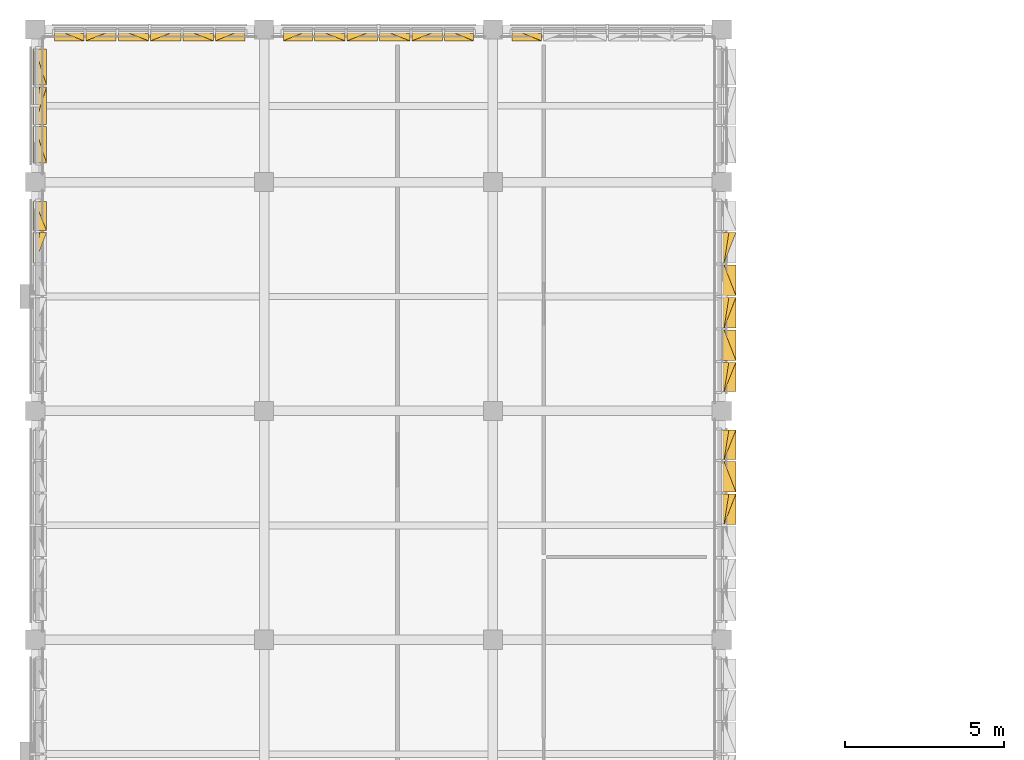
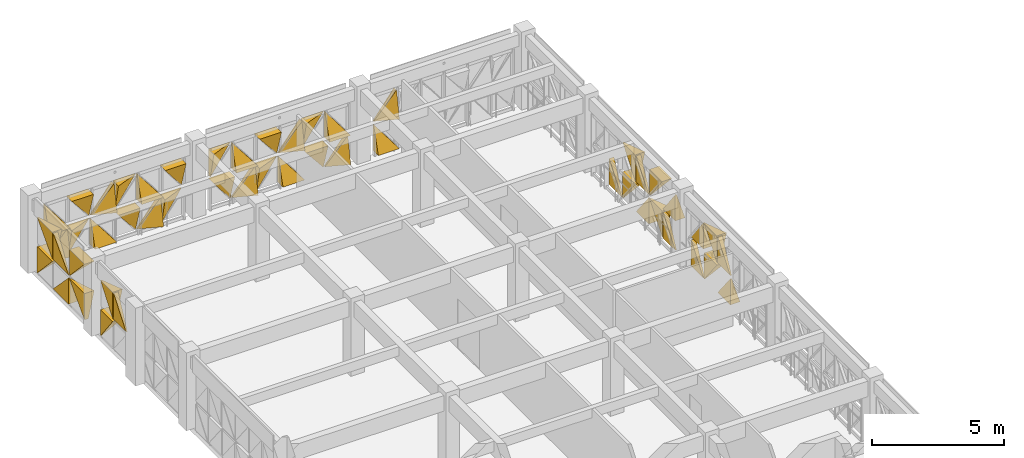
# One storey, part 73 of 74: 50 coverings.
"""IFC4 building model written with IfcOpenShell, lengths in metres."""

from ifc_helpers import new_model, si_unit, direction, frame, origin, place, context, subcontext, project, spatial, polygons, material, layer, layer_set, type_object, element, save


model = new_model("IFC4")

# Units and contexts
model_context = context("Model", 3, precision=1e-05, world=origin(), true_north=direction((0.0, 1.0)))
body_context = subcontext(model_context, "Body", "Model", "MODEL_VIEW")
ifc_project = project(units=[si_unit("LENGTHUNIT", "METRE"), si_unit("AREAUNIT", "SQUARE_METRE"), si_unit("VOLUMEUNIT", "CUBIC_METRE"), si_unit("PLANEANGLEUNIT", "RADIAN"), si_unit("MASSUNIT", "GRAM", prefix="KILO")], contexts=[model_context])

# Site, building, storey
site_placement = place(None, origin())
site = spatial("IfcSite", under=ifc_project, at=site_placement, CompositionType="ELEMENT")
building_placement = place(site_placement, origin())
building = spatial("IfcBuilding", under=site, at=building_placement, Name="Alvorim Cloister Faculty of Sciences", CompositionType="ELEMENT")
storey_placement = place(building_placement, frame((0.0, 0.0, 15.75)))
storey = spatial("IfcBuildingStorey", under=building, at=storey_placement, Name="L04", CompositionType="ELEMENT", Elevation=15.75)

# Coverings
ifc_material = material(Name="Perforated Bronze Alloy Sheet", Category="metal")
ifc_layer = layer(ifc_material, 0.0380859375)
ifc_layer_set = layer_set([ifc_layer], Name="Perforated Bronze Alloy Sheet")
covering_type = type_object("IfcCoveringType", Name="COV-TRI-BRZ", PredefinedType="CLADDING", material=ifc_layer_set)
covering_1_placement = place(storey_placement, frame((-0.044921875, 104.25244140625, 1.4951171875), z_axis=(0.0, 0.0, 1.0), x_axis=(0.0, 1.0, 0.0)))
element("IfcCovering", 1, at=covering_1_placement, inside=storey, type_object=covering_type, Name="Diagonal Solid Metal Triangle TRI-BR", PredefinedType="CLADDING", context=body_context, shape_type="Tessellation", body=[
    polygons([(0.002, 0.0260009765625, 0.0), (0.955078125, 0.0260009765625, 0.0), (0.955078125, 0.0260009765625, 1.21284375), (0.002, -0.03, 0.0), (0.955078125, -0.4, 0.0), (0.955078125, -0.18000000000000002, 1.21284375)], [[[1, 3, 2]], [[4, 5, 6]], [[1, 2, 5, 4]], [[2, 3, 6, 5]], [[3, 1, 4, 6]]], closed=True),
])
covering_2_placement = place(storey_placement, frame((-0.044921875, 105.2724609375, 0.139892578125), z_axis=(0.0, 0.0, 1.0), x_axis=(0.0, 1.0, 0.0)))
element("IfcCovering", 2, at=covering_2_placement, inside=storey, type_object=covering_type, Name="Diagonal Solid Metal Triangle TRI-TR", PredefinedType="CLADDING", context=body_context, shape_type="Tessellation", body=[
    polygons([(0.922607421875, 0.0260009765625, 0.002), (0.922607421875, 0.0260009765625, 1.215087890625), (0.002, 0.0260009765625, 1.215087890625), (0.922607421875, -0.03, 0.002), (0.922607421875, -0.4, 1.215087890625), (0.002, -0.4, 1.215087890625)], [[[1, 3, 2]], [[4, 5, 6]], [[1, 2, 5, 4]], [[2, 3, 6, 5]], [[3, 1, 4, 6]]], closed=True),
])
covering_3_placement = place(storey_placement, frame((-0.044921875, 105.2724609375, 1.4951171875), z_axis=(0.0, 0.0, 1.0), x_axis=(0.0, 1.0, 0.0)))
element("IfcCovering", 3, at=covering_3_placement, inside=storey, type_object=covering_type, Name="Diagonal Solid Metal Triangle TRI-TL", PredefinedType="CLADDING", context=body_context, shape_type="Tessellation", body=[
    polygons([(0.920607421875, 0.0260009765625, 1.21484375), (0.0, 0.0260009765625, 1.21484375), (0.0, 0.0260009765625, 0.002), (0.920607421875, -0.03, 1.21484375), (0.0, -0.4, 1.21484375), (0.0, -0.13999999999999999, 0.002)], [[[1, 3, 2]], [[4, 5, 6]], [[1, 2, 5, 4]], [[2, 3, 6, 5]], [[3, 1, 4, 6]]], closed=True),
])
covering_4_placement = place(storey_placement, frame((-0.044921875, 107.405029296875, 0.139892578125), z_axis=(0.0, 0.0, 1.0), x_axis=(0.0, 1.0, 0.0)))
element("IfcCovering", 4, at=covering_4_placement, inside=storey, type_object=covering_type, Name="Diagonal Solid Metal Triangle TRI-TL", PredefinedType="CLADDING", context=body_context, shape_type="Tessellation", body=[
    polygons([(1.140578125, 0.0260009765625, 1.215087890625), (0.0, 0.0260009765625, 1.215087890625), (0.0, 0.0260009765625, 0.002), (1.140578125, -0.03, 1.215087890625), (0.0, -0.4, 1.215087890625), (0.0, -0.13999999999999999, 0.002)], [[[1, 3, 2]], [[4, 5, 6]], [[1, 2, 5, 4]], [[2, 3, 6, 5]], [[3, 1, 4, 6]]], closed=True),
])
covering_5_placement = place(storey_placement, frame((-0.044921875, 107.405029296875, 1.4951171875), z_axis=(0.0, 0.0, 1.0), x_axis=(0.0, 1.0, 0.0)))
element("IfcCovering", 5, at=covering_5_placement, inside=storey, type_object=covering_type, Name="Diagonal Solid Metal Triangle TRI-TR", PredefinedType="CLADDING", context=body_context, shape_type="Tessellation", body=[
    polygons([(1.142578125, 0.0260009765625, 0.002), (1.142578125, 0.0260009765625, 1.21484375), (0.002, 0.0260009765625, 1.21484375), (1.142578125, -0.03, 0.002), (1.142578125, -0.4, 1.21484375), (0.002, -0.4, 1.21484375)], [[[1, 3, 2]], [[4, 5, 6]], [[1, 2, 5, 4]], [[2, 3, 6, 5]], [[3, 1, 4, 6]]], closed=True),
])
covering_6_placement = place(storey_placement, frame((-0.044921875, 108.612548828125, 0.139892578125), z_axis=(0.0, 0.0, 1.0), x_axis=(0.0, 1.0, 0.0)))
element("IfcCovering", 6, at=covering_6_placement, inside=storey, type_object=covering_type, Name="Diagonal Solid Metal Triangle TRI-BL", PredefinedType="CLADDING", context=body_context, shape_type="Tessellation", body=[
    polygons([(0.0, 0.0260009765625, 0.0), (1.173048828125, 0.0260009765625, 0.0), (0.0, 0.0260009765625, 1.213087890625), (0.0, -0.4, 0.0), (1.173048828125, -0.4, 0.0), (0.0, -0.03, 1.213087890625)], [[[1, 3, 2]], [[4, 5, 6]], [[1, 2, 5, 4]], [[2, 3, 6, 5]], [[3, 1, 4, 6]]], closed=True),
])
covering_7_placement = place(storey_placement, frame((-0.044921875, 108.612548828125, 1.4951171875), z_axis=(0.0, 0.0, 1.0), x_axis=(0.0, 1.0, 0.0)))
element("IfcCovering", 7, at=covering_7_placement, inside=storey, type_object=covering_type, Name="Diagonal Solid Metal Triangle TRI-BR", PredefinedType="CLADDING", context=body_context, shape_type="Tessellation", body=[
    polygons([(0.002, 0.0260009765625, 0.0), (1.175048828125, 0.0260009765625, 0.0), (1.175048828125, 0.0260009765625, 1.21284375), (0.002, -0.03, 0.0), (1.175048828125, -0.4, 0.0), (1.175048828125, -0.18000000000000002, 1.21284375)], [[[1, 3, 2]], [[4, 5, 6]], [[1, 2, 5, 4]], [[2, 3, 6, 5]], [[3, 1, 4, 6]]], closed=True),
])
covering_8_placement = place(storey_placement, frame((-0.044921875, 109.8525390625, 0.139892578125), z_axis=(0.0, 0.0, 1.0), x_axis=(0.0, 1.0, 0.0)))
element("IfcCovering", 8, at=covering_8_placement, inside=storey, type_object=covering_type, Name="Diagonal Solid Metal Triangle TRI-TR", PredefinedType="CLADDING", context=body_context, shape_type="Tessellation", body=[
    polygons([(1.142578125, 0.0260009765625, 0.002), (1.142578125, 0.0260009765625, 1.215087890625), (0.002, 0.0260009765625, 1.215087890625), (1.142578125, -0.03, 0.002), (1.142578125, -0.4, 1.215087890625), (0.002, -0.4, 1.215087890625)], [[[1, 3, 2]], [[4, 5, 6]], [[1, 2, 5, 4]], [[2, 3, 6, 5]], [[3, 1, 4, 6]]], closed=True),
])
covering_9_placement = place(storey_placement, frame((-0.044921875, 109.8525390625, 1.4951171875), z_axis=(0.0, 0.0, 1.0), x_axis=(0.0, 1.0, 0.0)))
element("IfcCovering", 9, at=covering_9_placement, inside=storey, type_object=covering_type, Name="Diagonal Solid Metal Triangle TRI-TL", PredefinedType="CLADDING", context=body_context, shape_type="Tessellation", body=[
    polygons([(1.140578125, 0.0260009765625, 1.21484375), (0.0, 0.0260009765625, 1.21484375), (0.0, 0.0260009765625, 0.002), (1.140578125, -0.03, 1.21484375), (0.0, -0.4, 1.21484375), (0.0, -0.13999999999999999, 0.002)], [[[1, 3, 2]], [[4, 5, 6]], [[1, 2, 5, 4]], [[2, 3, 6, 5]], [[3, 1, 4, 6]]], closed=True),
])
covering_10_placement = place(storey_placement, frame((0.60498046875, 111.64501953125, 0.139892578125), z_axis=(0.0, 0.0, 1.0), x_axis=(1.0, 0.0, 0.0)))
element("IfcCovering", 10, at=covering_10_placement, inside=storey, type_object=covering_type, Name="Diagonal Solid Metal Triangle TRI-BR", PredefinedType="CLADDING", context=body_context, shape_type="Tessellation", body=[
    polygons([(0.002, 0.0260009765625, 0.0), (0.922607421875, 0.0260009765625, 0.0), (0.922607421875, 0.0260009765625, 1.213087890625), (0.002, -0.03, 0.0), (0.922607421875, -0.4, 0.0), (0.922607421875, -0.18000000000000002, 1.213087890625)], [[[1, 3, 2]], [[4, 5, 6]], [[1, 2, 5, 4]], [[2, 3, 6, 5]], [[3, 1, 4, 6]]], closed=True),
])
covering_11_placement = place(storey_placement, frame((0.60498046875, 111.64501953125, 1.4951171875), z_axis=(0.0, 0.0, 1.0), x_axis=(1.0, 0.0, 0.0)))
element("IfcCovering", 11, at=covering_11_placement, inside=storey, type_object=covering_type, Name="Diagonal Solid Metal Triangle TRI-BL", PredefinedType="CLADDING", context=body_context, shape_type="Tessellation", body=[
    polygons([(0.0, 0.0260009765625, 0.0), (0.920607421875, 0.0260009765625, 0.0), (0.0, 0.0260009765625, 1.21284375), (0.0, -0.4, 0.0), (0.920607421875, -0.4, 0.0), (0.0, -0.03, 1.21284375)], [[[1, 3, 2]], [[4, 5, 6]], [[1, 2, 5, 4]], [[2, 3, 6, 5]], [[3, 1, 4, 6]]], closed=True),
])
covering_12_placement = place(storey_placement, frame((1.592529296875, 111.64501953125, 0.139892578125), z_axis=(0.0, 0.0, 1.0), x_axis=(1.0, 0.0, 0.0)))
element("IfcCovering", 12, at=covering_12_placement, inside=storey, type_object=covering_type, Name="Diagonal Solid Metal Triangle TRI-TL", PredefinedType="CLADDING", context=body_context, shape_type="Tessellation", body=[
    polygons([(0.953078125, 0.0260009765625, 1.215087890625), (0.0, 0.0260009765625, 1.215087890625), (0.0, 0.0260009765625, 0.002), (0.953078125, -0.03, 1.215087890625), (0.0, -0.4, 1.215087890625), (0.0, -0.13999999999999999, 0.002)], [[[1, 3, 2]], [[4, 5, 6]], [[1, 2, 5, 4]], [[2, 3, 6, 5]], [[3, 1, 4, 6]]], closed=True),
])
covering_13_placement = place(storey_placement, frame((1.592529296875, 111.64501953125, 1.4951171875), z_axis=(0.0, 0.0, 1.0), x_axis=(1.0, 0.0, 0.0)))
element("IfcCovering", 13, at=covering_13_placement, inside=storey, type_object=covering_type, Name="Diagonal Solid Metal Triangle TRI-TR", PredefinedType="CLADDING", context=body_context, shape_type="Tessellation", body=[
    polygons([(0.955078125, 0.0260009765625, 0.002), (0.955078125, 0.0260009765625, 1.21484375), (0.002, 0.0260009765625, 1.21484375), (0.955078125, -0.03, 0.002), (0.955078125, -0.4, 1.21484375), (0.002, -0.4, 1.21484375)], [[[1, 3, 2]], [[4, 5, 6]], [[1, 2, 5, 4]], [[2, 3, 6, 5]], [[3, 1, 4, 6]]], closed=True),
])
covering_14_placement = place(storey_placement, frame((2.612548828125, 111.64501953125, 0.139892578125), z_axis=(0.0, 0.0, 1.0), x_axis=(1.0, 0.0, 0.0)))
element("IfcCovering", 14, at=covering_14_placement, inside=storey, type_object=covering_type, Name="Diagonal Solid Metal Triangle TRI-BL", PredefinedType="CLADDING", context=body_context, shape_type="Tessellation", body=[
    polygons([(0.0, 0.0260009765625, 0.0), (0.953078125, 0.0260009765625, 0.0), (0.0, 0.0260009765625, 1.213087890625), (0.0, -0.4, 0.0), (0.953078125, -0.4, 0.0), (0.0, -0.03, 1.213087890625)], [[[1, 3, 2]], [[4, 5, 6]], [[1, 2, 5, 4]], [[2, 3, 6, 5]], [[3, 1, 4, 6]]], closed=True),
])
covering_15_placement = place(storey_placement, frame((2.612548828125, 111.64501953125, 1.4951171875), z_axis=(0.0, 0.0, 1.0), x_axis=(1.0, 0.0, 0.0)))
element("IfcCovering", 15, at=covering_15_placement, inside=storey, type_object=covering_type, Name="Diagonal Solid Metal Triangle TRI-BR", PredefinedType="CLADDING", context=body_context, shape_type="Tessellation", body=[
    polygons([(0.002, 0.0260009765625, 0.0), (0.955078125, 0.0260009765625, 0.0), (0.955078125, 0.0260009765625, 1.21284375), (0.002, -0.03, 0.0), (0.955078125, -0.4, 0.0), (0.955078125, -0.18000000000000002, 1.21284375)], [[[1, 3, 2]], [[4, 5, 6]], [[1, 2, 5, 4]], [[2, 3, 6, 5]], [[3, 1, 4, 6]]], closed=True),
])
covering_16_placement = place(storey_placement, frame((3.632568359375, 111.64501953125, 0.139892578125), z_axis=(0.0, 0.0, 1.0), x_axis=(1.0, 0.0, 0.0)))
element("IfcCovering", 16, at=covering_16_placement, inside=storey, type_object=covering_type, Name="Diagonal Solid Metal Triangle TRI-TR", PredefinedType="CLADDING", context=body_context, shape_type="Tessellation", body=[
    polygons([(0.955078125, 0.0260009765625, 0.002), (0.955078125, 0.0260009765625, 1.215087890625), (0.002, 0.0260009765625, 1.215087890625), (0.955078125, -0.03, 0.002), (0.955078125, -0.4, 1.215087890625), (0.002, -0.4, 1.215087890625)], [[[1, 3, 2]], [[4, 5, 6]], [[1, 2, 5, 4]], [[2, 3, 6, 5]], [[3, 1, 4, 6]]], closed=True),
])
covering_17_placement = place(storey_placement, frame((3.632568359375, 111.64501953125, 1.4951171875), z_axis=(0.0, 0.0, 1.0), x_axis=(1.0, 0.0, 0.0)))
element("IfcCovering", 17, at=covering_17_placement, inside=storey, type_object=covering_type, Name="Diagonal Solid Metal Triangle TRI-TL", PredefinedType="CLADDING", context=body_context, shape_type="Tessellation", body=[
    polygons([(0.953078125, 0.0260009765625, 1.21484375), (0.0, 0.0260009765625, 1.21484375), (0.0, 0.0260009765625, 0.002), (0.953078125, -0.03, 1.21484375), (0.0, -0.4, 1.21484375), (0.0, -0.13999999999999999, 0.002)], [[[1, 3, 2]], [[4, 5, 6]], [[1, 2, 5, 4]], [[2, 3, 6, 5]], [[3, 1, 4, 6]]], closed=True),
])
covering_18_placement = place(storey_placement, frame((4.652587890625, 111.64501953125, 0.139892578125), z_axis=(0.0, 0.0, 1.0), x_axis=(1.0, 0.0, 0.0)))
element("IfcCovering", 18, at=covering_18_placement, inside=storey, type_object=covering_type, Name="Diagonal Solid Metal Triangle TRI-BR", PredefinedType="CLADDING", context=body_context, shape_type="Tessellation", body=[
    polygons([(0.002, 0.0260009765625, 0.0), (0.955078125, 0.0260009765625, 0.0), (0.955078125, 0.0260009765625, 1.213087890625), (0.002, -0.03, 0.0), (0.955078125, -0.4, 0.0), (0.955078125, -0.18000000000000002, 1.213087890625)], [[[1, 3, 2]], [[4, 5, 6]], [[1, 2, 5, 4]], [[2, 3, 6, 5]], [[3, 1, 4, 6]]], closed=True),
])
covering_19_placement = place(storey_placement, frame((4.652587890625, 111.64501953125, 1.4951171875), z_axis=(0.0, 0.0, 1.0), x_axis=(1.0, 0.0, 0.0)))
element("IfcCovering", 19, at=covering_19_placement, inside=storey, type_object=covering_type, Name="Diagonal Solid Metal Triangle TRI-BL", PredefinedType="CLADDING", context=body_context, shape_type="Tessellation", body=[
    polygons([(0.0, 0.0260009765625, 0.0), (0.953078125, 0.0260009765625, 0.0), (0.0, 0.0260009765625, 1.21284375), (0.0, -0.4, 0.0), (0.953078125, -0.4, 0.0), (0.0, -0.03, 1.21284375)], [[[1, 3, 2]], [[4, 5, 6]], [[1, 2, 5, 4]], [[2, 3, 6, 5]], [[3, 1, 4, 6]]], closed=True),
])
covering_20_placement = place(storey_placement, frame((5.672607421875, 111.64501953125, 0.139892578125), z_axis=(0.0, 0.0, 1.0), x_axis=(1.0, 0.0, 0.0)))
element("IfcCovering", 20, at=covering_20_placement, inside=storey, type_object=covering_type, Name="Diagonal Solid Metal Triangle TRI-TL", PredefinedType="CLADDING", context=body_context, shape_type="Tessellation", body=[
    polygons([(0.920607421875, 0.0260009765625, 1.215087890625), (0.0, 0.0260009765625, 1.215087890625), (0.0, 0.0260009765625, 0.002), (0.920607421875, -0.03, 1.215087890625), (0.0, -0.4, 1.215087890625), (0.0, -0.13999999999999999, 0.002)], [[[1, 3, 2]], [[4, 5, 6]], [[1, 2, 5, 4]], [[2, 3, 6, 5]], [[3, 1, 4, 6]]], closed=True),
])
covering_21_placement = place(storey_placement, frame((5.672607421875, 111.64501953125, 1.4951171875), z_axis=(0.0, 0.0, 1.0), x_axis=(1.0, 0.0, 0.0)))
element("IfcCovering", 21, at=covering_21_placement, inside=storey, type_object=covering_type, Name="Diagonal Solid Metal Triangle TRI-TR", PredefinedType="CLADDING", context=body_context, shape_type="Tessellation", body=[
    polygons([(0.922607421875, 0.0260009765625, 0.002), (0.922607421875, 0.0260009765625, 1.21484375), (0.002, 0.0260009765625, 1.21484375), (0.922607421875, -0.03, 0.002), (0.922607421875, -0.4, 1.21484375), (0.002, -0.4, 1.21484375)], [[[1, 3, 2]], [[4, 5, 6]], [[1, 2, 5, 4]], [[2, 3, 6, 5]], [[3, 1, 4, 6]]], closed=True),
])
covering_22_placement = place(storey_placement, frame((7.804931640625, 111.64501953125, 0.139892578125), z_axis=(0.0, 0.0, 1.0), x_axis=(1.0, 0.0, 0.0)))
element("IfcCovering", 22, at=covering_22_placement, inside=storey, type_object=covering_type, Name="Diagonal Solid Metal Triangle TRI-TR", PredefinedType="CLADDING", context=body_context, shape_type="Tessellation", body=[
    polygons([(0.922607421875, 0.0260009765625, 0.002), (0.922607421875, 0.0260009765625, 1.215087890625), (0.002, 0.0260009765625, 1.215087890625), (0.922607421875, -0.03, 0.002), (0.922607421875, -0.4, 1.215087890625), (0.002, -0.4, 1.215087890625)], [[[1, 3, 2]], [[4, 5, 6]], [[1, 2, 5, 4]], [[2, 3, 6, 5]], [[3, 1, 4, 6]]], closed=True),
])
covering_23_placement = place(storey_placement, frame((7.804931640625, 111.64501953125, 1.4951171875), z_axis=(0.0, 0.0, 1.0), x_axis=(1.0, 0.0, 0.0)))
element("IfcCovering", 23, at=covering_23_placement, inside=storey, type_object=covering_type, Name="Diagonal Solid Metal Triangle TRI-TL", PredefinedType="CLADDING", context=body_context, shape_type="Tessellation", body=[
    polygons([(0.920607421875, 0.0260009765625, 1.21484375), (0.0, 0.0260009765625, 1.21484375), (0.0, 0.0260009765625, 0.002), (0.920607421875, -0.03, 1.21484375), (0.0, -0.4, 1.21484375), (0.0, -0.13999999999999999, 0.002)], [[[1, 3, 2]], [[4, 5, 6]], [[1, 2, 5, 4]], [[2, 3, 6, 5]], [[3, 1, 4, 6]]], closed=True),
])
covering_24_placement = place(storey_placement, frame((8.79248046875, 111.64501953125, 0.139892578125), z_axis=(0.0, 0.0, 1.0), x_axis=(1.0, 0.0, 0.0)))
element("IfcCovering", 24, at=covering_24_placement, inside=storey, type_object=covering_type, Name="Diagonal Solid Metal Triangle TRI-BR", PredefinedType="CLADDING", context=body_context, shape_type="Tessellation", body=[
    polygons([(0.002, 0.0260009765625, 0.0), (0.955078125, 0.0260009765625, 0.0), (0.955078125, 0.0260009765625, 1.213087890625), (0.002, -0.03, 0.0), (0.955078125, -0.4, 0.0), (0.955078125, -0.18000000000000002, 1.213087890625)], [[[1, 3, 2]], [[4, 5, 6]], [[1, 2, 5, 4]], [[2, 3, 6, 5]], [[3, 1, 4, 6]]], closed=True),
])
covering_25_placement = place(storey_placement, frame((8.79248046875, 111.64501953125, 1.4951171875), z_axis=(0.0, 0.0, 1.0), x_axis=(1.0, 0.0, 0.0)))
element("IfcCovering", 25, at=covering_25_placement, inside=storey, type_object=covering_type, Name="Diagonal Solid Metal Triangle TRI-BL", PredefinedType="CLADDING", context=body_context, shape_type="Tessellation", body=[
    polygons([(0.0, 0.0260009765625, 0.0), (0.953078125, 0.0260009765625, 0.0), (0.0, 0.0260009765625, 1.21284375), (0.0, -0.4, 0.0), (0.953078125, -0.4, 0.0), (0.0, -0.03, 1.21284375)], [[[1, 3, 2]], [[4, 5, 6]], [[1, 2, 5, 4]], [[2, 3, 6, 5]], [[3, 1, 4, 6]]], closed=True),
])
covering_26_placement = place(storey_placement, frame((9.8125, 111.64501953125, 0.139892578125), z_axis=(0.0, 0.0, 1.0), x_axis=(1.0, 0.0, 0.0)))
element("IfcCovering", 26, at=covering_26_placement, inside=storey, type_object=covering_type, Name="Diagonal Solid Metal Triangle TRI-TL", PredefinedType="CLADDING", context=body_context, shape_type="Tessellation", body=[
    polygons([(0.953078125, 0.0260009765625, 1.215087890625), (0.0, 0.0260009765625, 1.215087890625), (0.0, 0.0260009765625, 0.002), (0.953078125, -0.03, 1.215087890625), (0.0, -0.4, 1.215087890625), (0.0, -0.13999999999999999, 0.002)], [[[1, 3, 2]], [[4, 5, 6]], [[1, 2, 5, 4]], [[2, 3, 6, 5]], [[3, 1, 4, 6]]], closed=True),
])
covering_27_placement = place(storey_placement, frame((9.8125, 111.64501953125, 1.4951171875), z_axis=(0.0, 0.0, 1.0), x_axis=(1.0, 0.0, 0.0)))
element("IfcCovering", 27, at=covering_27_placement, inside=storey, type_object=covering_type, Name="Diagonal Solid Metal Triangle TRI-TR", PredefinedType="CLADDING", context=body_context, shape_type="Tessellation", body=[
    polygons([(0.955078125, 0.0260009765625, 0.002), (0.955078125, 0.0260009765625, 1.21484375), (0.002, 0.0260009765625, 1.21484375), (0.955078125, -0.03, 0.002), (0.955078125, -0.4, 1.21484375), (0.002, -0.4, 1.21484375)], [[[1, 3, 2]], [[4, 5, 6]], [[1, 2, 5, 4]], [[2, 3, 6, 5]], [[3, 1, 4, 6]]], closed=True),
])
covering_28_placement = place(storey_placement, frame((10.83251953125, 111.64501953125, 0.139892578125), z_axis=(0.0, 0.0, 1.0), x_axis=(1.0, 0.0, 0.0)))
element("IfcCovering", 28, at=covering_28_placement, inside=storey, type_object=covering_type, Name="Diagonal Solid Metal Triangle TRI-BL", PredefinedType="CLADDING", context=body_context, shape_type="Tessellation", body=[
    polygons([(0.0, 0.0260009765625, 0.0), (0.953078125, 0.0260009765625, 0.0), (0.0, 0.0260009765625, 1.213087890625), (0.0, -0.4, 0.0), (0.953078125, -0.4, 0.0), (0.0, -0.03, 1.213087890625)], [[[1, 3, 2]], [[4, 5, 6]], [[1, 2, 5, 4]], [[2, 3, 6, 5]], [[3, 1, 4, 6]]], closed=True),
])
covering_29_placement = place(storey_placement, frame((10.83251953125, 111.64501953125, 1.4951171875), z_axis=(0.0, 0.0, 1.0), x_axis=(1.0, 0.0, 0.0)))
element("IfcCovering", 29, at=covering_29_placement, inside=storey, type_object=covering_type, Name="Diagonal Solid Metal Triangle TRI-BR", PredefinedType="CLADDING", context=body_context, shape_type="Tessellation", body=[
    polygons([(0.002, 0.0260009765625, 0.0), (0.955078125, 0.0260009765625, 0.0), (0.955078125, 0.0260009765625, 1.21284375), (0.002, -0.03, 0.0), (0.955078125, -0.4, 0.0), (0.955078125, -0.18000000000000002, 1.21284375)], [[[1, 3, 2]], [[4, 5, 6]], [[1, 2, 5, 4]], [[2, 3, 6, 5]], [[3, 1, 4, 6]]], closed=True),
])
covering_30_placement = place(storey_placement, frame((11.8525390625, 111.64501953125, 0.139892578125), z_axis=(0.0, 0.0, 1.0), x_axis=(1.0, 0.0, 0.0)))
element("IfcCovering", 30, at=covering_30_placement, inside=storey, type_object=covering_type, Name="Diagonal Solid Metal Triangle TRI-TR", PredefinedType="CLADDING", context=body_context, shape_type="Tessellation", body=[
    polygons([(0.955078125, 0.0260009765625, 0.002), (0.955078125, 0.0260009765625, 1.215087890625), (0.002, 0.0260009765625, 1.215087890625), (0.955078125, -0.03, 0.002), (0.955078125, -0.4, 1.215087890625), (0.002, -0.4, 1.215087890625)], [[[1, 3, 2]], [[4, 5, 6]], [[1, 2, 5, 4]], [[2, 3, 6, 5]], [[3, 1, 4, 6]]], closed=True),
])
covering_31_placement = place(storey_placement, frame((11.8525390625, 111.64501953125, 1.4951171875), z_axis=(0.0, 0.0, 1.0), x_axis=(1.0, 0.0, 0.0)))
element("IfcCovering", 31, at=covering_31_placement, inside=storey, type_object=covering_type, Name="Diagonal Solid Metal Triangle TRI-TL", PredefinedType="CLADDING", context=body_context, shape_type="Tessellation", body=[
    polygons([(0.953078125, 0.0260009765625, 1.21484375), (0.0, 0.0260009765625, 1.21484375), (0.0, 0.0260009765625, 0.002), (0.953078125, -0.03, 1.21484375), (0.0, -0.4, 1.21484375), (0.0, -0.13999999999999999, 0.002)], [[[1, 3, 2]], [[4, 5, 6]], [[1, 2, 5, 4]], [[2, 3, 6, 5]], [[3, 1, 4, 6]]], closed=True),
])
covering_32_placement = place(storey_placement, frame((12.87255859375, 111.64501953125, 0.139892578125), z_axis=(0.0, 0.0, 1.0), x_axis=(1.0, 0.0, 0.0)))
element("IfcCovering", 32, at=covering_32_placement, inside=storey, type_object=covering_type, Name="Diagonal Solid Metal Triangle TRI-BR", PredefinedType="CLADDING", context=body_context, shape_type="Tessellation", body=[
    polygons([(0.002, 0.0260009765625, 0.0), (0.922607421875, 0.0260009765625, 0.0), (0.922607421875, 0.0260009765625, 1.213087890625), (0.002, -0.03, 0.0), (0.922607421875, -0.4, 0.0), (0.922607421875, -0.18000000000000002, 1.213087890625)], [[[1, 3, 2]], [[4, 5, 6]], [[1, 2, 5, 4]], [[2, 3, 6, 5]], [[3, 1, 4, 6]]], closed=True),
])
covering_33_placement = place(storey_placement, frame((12.87255859375, 111.64501953125, 1.4951171875), z_axis=(0.0, 0.0, 1.0), x_axis=(1.0, 0.0, 0.0)))
element("IfcCovering", 33, at=covering_33_placement, inside=storey, type_object=covering_type, Name="Diagonal Solid Metal Triangle TRI-BL", PredefinedType="CLADDING", context=body_context, shape_type="Tessellation", body=[
    polygons([(0.0, 0.0260009765625, 0.0), (0.920607421875, 0.0260009765625, 0.0), (0.0, 0.0260009765625, 1.21284375), (0.0, -0.4, 0.0), (0.920607421875, -0.4, 0.0), (0.0, -0.03, 1.21284375)], [[[1, 3, 2]], [[4, 5, 6]], [[1, 2, 5, 4]], [[2, 3, 6, 5]], [[3, 1, 4, 6]]], closed=True),
])
covering_34_placement = place(storey_placement, frame((15.0048828125, 111.64501953125, 0.139892578125), z_axis=(0.0, 0.0, 1.0), x_axis=(1.0, 0.0, 0.0)))
element("IfcCovering", 34, at=covering_34_placement, inside=storey, type_object=covering_type, Name="Diagonal Solid Metal Triangle TRI-BL", PredefinedType="CLADDING", context=body_context, shape_type="Tessellation", body=[
    polygons([(0.0, 0.0260009765625, 0.0), (0.920607421875, 0.0260009765625, 0.0), (0.0, 0.0260009765625, 1.213087890625), (0.0, -0.4, 0.0), (0.920607421875, -0.4, 0.0), (0.0, -0.03, 1.213087890625)], [[[1, 3, 2]], [[4, 5, 6]], [[1, 2, 5, 4]], [[2, 3, 6, 5]], [[3, 1, 4, 6]]], closed=True),
])
covering_35_placement = place(storey_placement, frame((15.0048828125, 111.64501953125, 1.4951171875), z_axis=(0.0, 0.0, 1.0), x_axis=(1.0, 0.0, 0.0)))
element("IfcCovering", 35, at=covering_35_placement, inside=storey, type_object=covering_type, Name="Diagonal Solid Metal Triangle TRI-BR", PredefinedType="CLADDING", context=body_context, shape_type="Tessellation", body=[
    polygons([(0.002, 0.0260009765625, 0.0), (0.922607421875, 0.0260009765625, 0.0), (0.922607421875, 0.0260009765625, 1.21284375), (0.002, -0.03, 0.0), (0.922607421875, -0.4, 0.0), (0.922607421875, -0.18000000000000002, 1.21284375)], [[[1, 3, 2]], [[4, 5, 6]], [[1, 2, 5, 4]], [[2, 3, 6, 5]], [[3, 1, 4, 6]]], closed=True),
])
covering_36_placement = place(storey_placement, frame((21.64501953125, 100.205078125, 0.139892578125), z_axis=(0.0, 0.0, 1.0), x_axis=(0.0, 1.0, 0.0)))
element("IfcCovering", 36, at=covering_36_placement, inside=storey, type_object=covering_type, Name="Diagonal Solid Metal Triangle TRI-BR", PredefinedType="CLADDING", context=body_context, shape_type="Tessellation", body=[
    polygons([(0.002, 0.0260009765625, 0.0), (0.922607421875, 0.0260009765625, 0.0), (0.922607421875, 0.0260009765625, 1.213087890625), (0.002, -0.03, 0.0), (0.922607421875, -0.4, 0.0), (0.922607421875, -0.18000000000000002, 1.213087890625)], [[[1, 3, 2]], [[4, 5, 6]], [[1, 2, 5, 4]], [[2, 3, 6, 5]], [[3, 1, 4, 6]]], closed=True),
])
covering_37_placement = place(storey_placement, frame((21.64501953125, 100.205078125, 1.4951171875), z_axis=(0.0, 0.0, 1.0), x_axis=(0.0, 1.0, 0.0)))
element("IfcCovering", 37, at=covering_37_placement, inside=storey, type_object=covering_type, Name="Diagonal Solid Metal Triangle TRI-BL", PredefinedType="CLADDING", context=body_context, shape_type="Tessellation", body=[
    polygons([(0.0, 0.0260009765625, 0.0), (0.920607421875, 0.0260009765625, 0.0), (0.0, 0.0260009765625, 1.21284375), (0.0, -0.4, 0.0), (0.920607421875, -0.4, 0.0), (0.0, -0.03, 1.21284375)], [[[1, 3, 2]], [[4, 5, 6]], [[1, 2, 5, 4]], [[2, 3, 6, 5]], [[3, 1, 4, 6]]], closed=True),
])
covering_38_placement = place(storey_placement, frame((21.64501953125, 101.1923828125, 0.139892578125), z_axis=(0.0, 0.0, 1.0), x_axis=(0.0, 1.0, 0.0)))
element("IfcCovering", 38, at=covering_38_placement, inside=storey, type_object=covering_type, Name="Diagonal Solid Metal Triangle TRI-TL", PredefinedType="CLADDING", context=body_context, shape_type="Tessellation", body=[
    polygons([(0.953078125, 0.0260009765625, 1.215087890625), (0.0, 0.0260009765625, 1.215087890625), (0.0, 0.0260009765625, 0.002), (0.953078125, -0.03, 1.215087890625), (0.0, -0.4, 1.215087890625), (0.0, -0.13999999999999999, 0.002)], [[[1, 3, 2]], [[4, 5, 6]], [[1, 2, 5, 4]], [[2, 3, 6, 5]], [[3, 1, 4, 6]]], closed=True),
])
covering_39_placement = place(storey_placement, frame((21.64501953125, 101.1923828125, 1.4951171875), z_axis=(0.0, 0.0, 1.0), x_axis=(0.0, 1.0, 0.0)))
element("IfcCovering", 39, at=covering_39_placement, inside=storey, type_object=covering_type, Name="Diagonal Solid Metal Triangle TRI-TR", PredefinedType="CLADDING", context=body_context, shape_type="Tessellation", body=[
    polygons([(0.955078125, 0.0260009765625, 0.002), (0.955078125, 0.0260009765625, 1.21484375), (0.002, 0.0260009765625, 1.21484375), (0.955078125, -0.03, 0.002), (0.955078125, -0.4, 1.21484375), (0.002, -0.4, 1.21484375)], [[[1, 3, 2]], [[4, 5, 6]], [[1, 2, 5, 4]], [[2, 3, 6, 5]], [[3, 1, 4, 6]]], closed=True),
])
covering_40_placement = place(storey_placement, frame((21.64501953125, 102.21240234375, 0.139892578125), z_axis=(0.0, 0.0, 1.0), x_axis=(0.0, 1.0, 0.0)))
element("IfcCovering", 40, at=covering_40_placement, inside=storey, type_object=covering_type, Name="Diagonal Solid Metal Triangle TRI-BL", PredefinedType="CLADDING", context=body_context, shape_type="Tessellation", body=[
    polygons([(0.0, 0.0260009765625, 0.0), (0.953078125, 0.0260009765625, 0.0), (0.0, 0.0260009765625, 1.213087890625), (0.0, -0.4, 0.0), (0.953078125, -0.4, 0.0), (0.0, -0.03, 1.213087890625)], [[[1, 3, 2]], [[4, 5, 6]], [[1, 2, 5, 4]], [[2, 3, 6, 5]], [[3, 1, 4, 6]]], closed=True),
])
covering_41_placement = place(storey_placement, frame((21.64501953125, 102.21240234375, 1.4951171875), z_axis=(0.0, 0.0, 1.0), x_axis=(0.0, 1.0, 0.0)))
element("IfcCovering", 41, at=covering_41_placement, inside=storey, type_object=covering_type, Name="Diagonal Solid Metal Triangle TRI-BR", PredefinedType="CLADDING", context=body_context, shape_type="Tessellation", body=[
    polygons([(0.002, 0.0260009765625, 0.0), (0.955078125, 0.0260009765625, 0.0), (0.955078125, 0.0260009765625, 1.21284375), (0.002, -0.03, 0.0), (0.955078125, -0.4, 0.0), (0.955078125, -0.18000000000000002, 1.21284375)], [[[1, 3, 2]], [[4, 5, 6]], [[1, 2, 5, 4]], [[2, 3, 6, 5]], [[3, 1, 4, 6]]], closed=True),
])
covering_42_placement = place(storey_placement, frame((21.64501953125, 103.232421875, 0.139892578125), z_axis=(0.0, 0.0, 1.0), x_axis=(0.0, 1.0, 0.0)))
element("IfcCovering", 42, at=covering_42_placement, inside=storey, type_object=covering_type, Name="Diagonal Solid Metal Triangle TRI-TR", PredefinedType="CLADDING", context=body_context, shape_type="Tessellation", body=[
    polygons([(0.955078125, 0.0260009765625, 0.002), (0.955078125, 0.0260009765625, 1.215087890625), (0.002, 0.0260009765625, 1.215087890625), (0.955078125, -0.03, 0.002), (0.955078125, -0.4, 1.215087890625), (0.002, -0.4, 1.215087890625)], [[[1, 3, 2]], [[4, 5, 6]], [[1, 2, 5, 4]], [[2, 3, 6, 5]], [[3, 1, 4, 6]]], closed=True),
])
covering_43_placement = place(storey_placement, frame((21.64501953125, 103.232421875, 1.4951171875), z_axis=(0.0, 0.0, 1.0), x_axis=(0.0, 1.0, 0.0)))
element("IfcCovering", 43, at=covering_43_placement, inside=storey, type_object=covering_type, Name="Diagonal Solid Metal Triangle TRI-TL", PredefinedType="CLADDING", context=body_context, shape_type="Tessellation", body=[
    polygons([(0.953078125, 0.0260009765625, 1.21484375), (0.0, 0.0260009765625, 1.21484375), (0.0, 0.0260009765625, 0.002), (0.953078125, -0.03, 1.21484375), (0.0, -0.4, 1.21484375), (0.0, -0.13999999999999999, 0.002)], [[[1, 3, 2]], [[4, 5, 6]], [[1, 2, 5, 4]], [[2, 3, 6, 5]], [[3, 1, 4, 6]]], closed=True),
])
covering_44_placement = place(storey_placement, frame((21.64501953125, 104.25244140625, 0.139892578125), z_axis=(0.0, 0.0, 1.0), x_axis=(0.0, 1.0, 0.0)))
element("IfcCovering", 44, at=covering_44_placement, inside=storey, type_object=covering_type, Name="Diagonal Solid Metal Triangle TRI-BR", PredefinedType="CLADDING", context=body_context, shape_type="Tessellation", body=[
    polygons([(0.002, 0.0260009765625, 0.0), (0.955078125, 0.0260009765625, 0.0), (0.955078125, 0.0260009765625, 1.213087890625), (0.002, -0.03, 0.0), (0.955078125, -0.4, 0.0), (0.955078125, -0.18000000000000002, 1.213087890625)], [[[1, 3, 2]], [[4, 5, 6]], [[1, 2, 5, 4]], [[2, 3, 6, 5]], [[3, 1, 4, 6]]], closed=True),
])
covering_45_placement = place(storey_placement, frame((21.64501953125, 96.032470703125, 0.139892578125), z_axis=(0.0, 0.0, 1.0), x_axis=(0.0, 1.0, 0.0)))
element("IfcCovering", 45, at=covering_45_placement, inside=storey, type_object=covering_type, Name="Diagonal Solid Metal Triangle TRI-BL", PredefinedType="CLADDING", context=body_context, shape_type="Tessellation", body=[
    polygons([(0.0, 0.0260009765625, 0.0), (0.953078125, 0.0260009765625, 0.0), (0.0, 0.0260009765625, 1.213087890625), (0.0, -0.4, 0.0), (0.953078125, -0.4, 0.0), (0.0, -0.03, 1.213087890625)], [[[1, 3, 2]], [[4, 5, 6]], [[1, 2, 5, 4]], [[2, 3, 6, 5]], [[3, 1, 4, 6]]], closed=True),
])
covering_46_placement = place(storey_placement, frame((21.64501953125, 96.032470703125, 1.4951171875), z_axis=(0.0, 0.0, 1.0), x_axis=(0.0, 1.0, 0.0)))
element("IfcCovering", 46, at=covering_46_placement, inside=storey, type_object=covering_type, Name="Diagonal Solid Metal Triangle TRI-BR", PredefinedType="CLADDING", context=body_context, shape_type="Tessellation", body=[
    polygons([(0.002, 0.0260009765625, 0.0), (0.955078125, 0.0260009765625, 0.0), (0.955078125, 0.0260009765625, 1.21284375), (0.002, -0.03, 0.0), (0.955078125, -0.4, 0.0), (0.955078125, -0.18000000000000002, 1.21284375)], [[[1, 3, 2]], [[4, 5, 6]], [[1, 2, 5, 4]], [[2, 3, 6, 5]], [[3, 1, 4, 6]]], closed=True),
])
covering_47_placement = place(storey_placement, frame((21.64501953125, 97.052490234375, 0.139892578125), z_axis=(0.0, 0.0, 1.0), x_axis=(0.0, 1.0, 0.0)))
element("IfcCovering", 47, at=covering_47_placement, inside=storey, type_object=covering_type, Name="Diagonal Solid Metal Triangle TRI-TR", PredefinedType="CLADDING", context=body_context, shape_type="Tessellation", body=[
    polygons([(0.955078125, 0.0260009765625, 0.002), (0.955078125, 0.0260009765625, 1.215087890625), (0.002, 0.0260009765625, 1.215087890625), (0.955078125, -0.03, 0.002), (0.955078125, -0.4, 1.215087890625), (0.002, -0.4, 1.215087890625)], [[[1, 3, 2]], [[4, 5, 6]], [[1, 2, 5, 4]], [[2, 3, 6, 5]], [[3, 1, 4, 6]]], closed=True),
])
covering_48_placement = place(storey_placement, frame((21.64501953125, 97.052490234375, 1.4951171875), z_axis=(0.0, 0.0, 1.0), x_axis=(0.0, 1.0, 0.0)))
element("IfcCovering", 48, at=covering_48_placement, inside=storey, type_object=covering_type, Name="Diagonal Solid Metal Triangle TRI-TL", PredefinedType="CLADDING", context=body_context, shape_type="Tessellation", body=[
    polygons([(0.953078125, 0.0260009765625, 1.21484375), (0.0, 0.0260009765625, 1.21484375), (0.0, 0.0260009765625, 0.002), (0.953078125, -0.03, 1.21484375), (0.0, -0.4, 1.21484375), (0.0, -0.13999999999999999, 0.002)], [[[1, 3, 2]], [[4, 5, 6]], [[1, 2, 5, 4]], [[2, 3, 6, 5]], [[3, 1, 4, 6]]], closed=True),
])
covering_49_placement = place(storey_placement, frame((21.64501953125, 98.072509765625, 0.139892578125), z_axis=(0.0, 0.0, 1.0), x_axis=(0.0, 1.0, 0.0)))
element("IfcCovering", 49, at=covering_49_placement, inside=storey, type_object=covering_type, Name="Diagonal Solid Metal Triangle TRI-BR", PredefinedType="CLADDING", context=body_context, shape_type="Tessellation", body=[
    polygons([(0.002, 0.0260009765625, 0.0), (0.922607421875, 0.0260009765625, 0.0), (0.922607421875, 0.0260009765625, 1.213087890625), (0.002, -0.03, 0.0), (0.922607421875, -0.4, 0.0), (0.922607421875, -0.18000000000000002, 1.213087890625)], [[[1, 3, 2]], [[4, 5, 6]], [[1, 2, 5, 4]], [[2, 3, 6, 5]], [[3, 1, 4, 6]]], closed=True),
])
covering_50_placement = place(storey_placement, frame((21.64501953125, 98.072509765625, 1.4951171875), z_axis=(0.0, 0.0, 1.0), x_axis=(0.0, 1.0, 0.0)))
element("IfcCovering", 50, at=covering_50_placement, inside=storey, type_object=covering_type, Name="Diagonal Solid Metal Triangle TRI-BL", PredefinedType="CLADDING", context=body_context, shape_type="Tessellation", body=[
    polygons([(0.0, 0.0260009765625, 0.0), (0.920607421875, 0.0260009765625, 0.0), (0.0, 0.0260009765625, 1.21284375), (0.0, -0.4, 0.0), (0.920607421875, -0.4, 0.0), (0.0, -0.03, 1.21284375)], [[[1, 3, 2]], [[4, 5, 6]], [[1, 2, 5, 4]], [[2, 3, 6, 5]], [[3, 1, 4, 6]]], closed=True),
])

save(model, "model.ifc")
